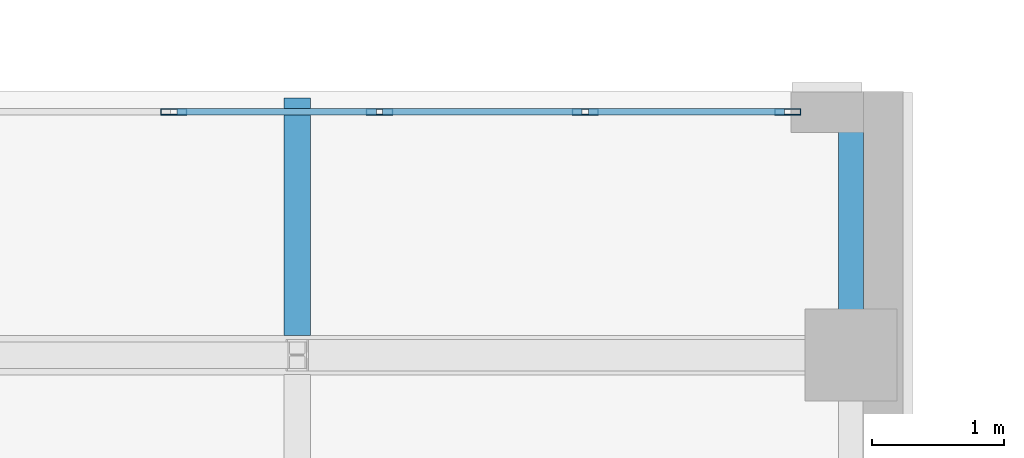
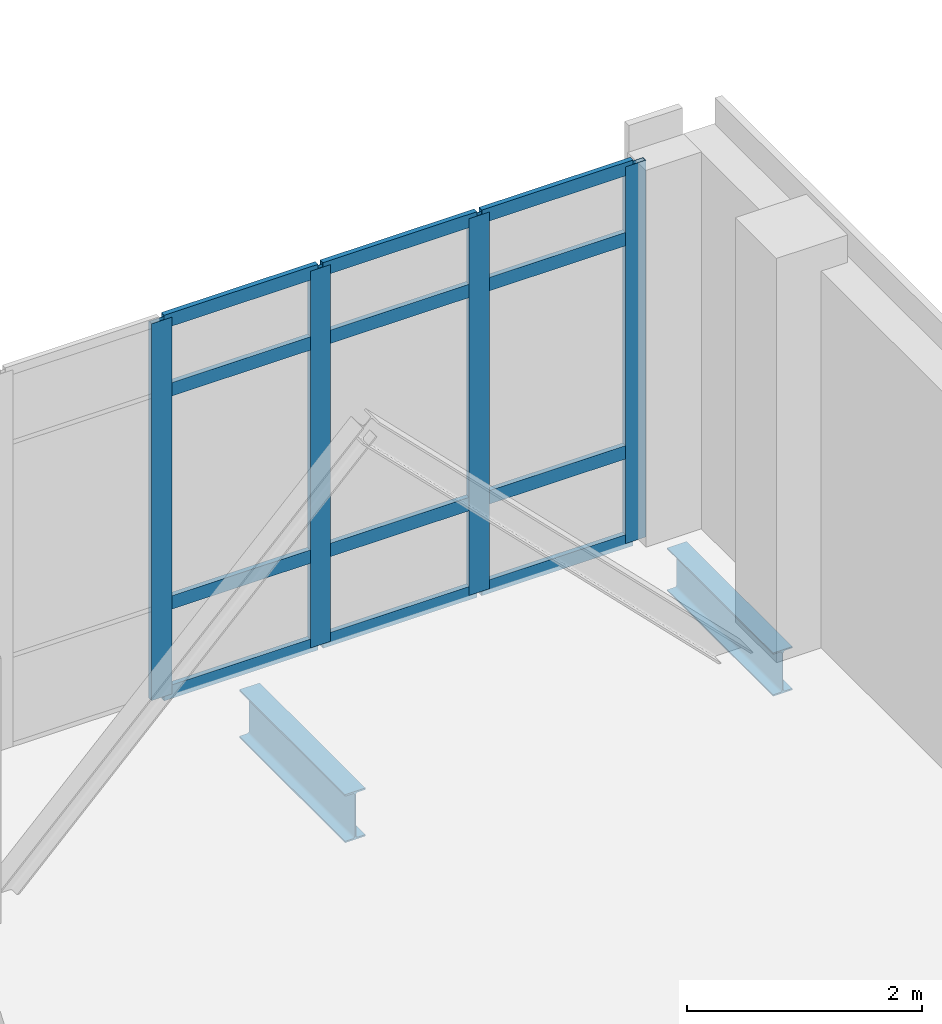
# One storey, part 23 of 193: 16 members, 2 beams, 1 element without a shape of its own.
"""IFC4 building model written with IfcOpenShell, lengths in metres."""

from ifc_helpers import new_model, si_unit, direction, frame, origin, origin_2d, place, context, subcontext, project, spatial, hollow_rectangle, i_section, extrude, material, layer, layer_set, material_profile, profile_set, type_object, element, aggregate, save


model = new_model("IFC4")

# Units and contexts
model_context = context("Model", 3, precision=1e-05, world=origin(), true_north=direction((0.0, 1.0)))
body_context = subcontext(model_context, "Body", "Model", "MODEL_VIEW")
ifc_project = project(units=[si_unit("LENGTHUNIT", "METRE"), si_unit("AREAUNIT", "SQUARE_METRE"), si_unit("VOLUMEUNIT", "CUBIC_METRE"), si_unit("PLANEANGLEUNIT", "RADIAN"), si_unit("MASSUNIT", "GRAM", prefix="KILO")], contexts=[model_context])

# Site, building, storey
site_placement = place(None, origin())
site = spatial("IfcSite", under=ifc_project, at=site_placement, CompositionType="ELEMENT")
building_placement = place(site_placement, origin())
building = spatial("IfcBuilding", under=site, at=building_placement, Name="Qalavern Law Courts", CompositionType="ELEMENT")
storey_placement = place(building_placement, frame((0.0, 0.0, 10.199951171875)))
storey = spatial("IfcBuildingStorey", under=building, at=storey_placement, Name="L02", CompositionType="ELEMENT", Elevation=10.199951171875)

# Curtain wall, members
ifc_material_1 = material(Name="Anodised aluminium and insulated glazing", Category="aluminium")
ifc_layer = layer(ifc_material_1, 0.199951171875)
ifc_layer_set = layer_set([ifc_layer], Name="Anodised aluminium and insulated glazing")
curtain_wall_type = type_object("IfcCurtainWallType", Name="ENV-CW-FOYER", PredefinedType="USERDEFINED", material=ifc_layer_set)
curtain_wall_placement = place(storey_placement, origin())
curtain_wall = element("IfcCurtainWall", 1, at=curtain_wall_placement, inside=storey, type_object=curtain_wall_type, Name="V1 unitised curtain wall L02 north 1", ObjectType="UNITISED CURTAIN WALL", PredefinedType="USERDEFINED")
ifc_material_2 = material(Name="Anodised aluminium", Category="aluminium")
ifc_material_profile_1 = material_profile(ifc_material_2, hollow_rectangle(XDim=0.048095703125, YDim=0.199951171875, WallThickness=0.00439453125, at=origin_2d()), Name="ALU MULLION 48x200")
ifc_profile_set_1 = profile_set([ifc_material_profile_1], Name="Anodised aluminium")
member_type_1 = type_object("IfcMemberType", Name="ENV-CWM-48x200", PredefinedType="MULLION", material=ifc_profile_set_1)
member_1_placement = place(storey_placement, frame((33.12109375, 33.844970703125, 0.0), z_axis=(0.0, 0.0, 1.0), x_axis=(0.0, -1.0, 0.0)))
member_1 = element("IfcMember", 2, at=member_1_placement, type_object=member_type_1, Name="CW-01 mullion 1", PredefinedType="MULLION", context=body_context, shape_type="SweptSolid", body=[
    extrude(hollow_rectangle(XDim=0.048095703125, YDim=0.199951171875, WallThickness=0.00439453125, at=origin_2d()), origin(), (0.0, 0.0, 1.0), 3.9150390625),
])
member_2_placement = place(storey_placement, frame((31.58447265625, 33.844970703125, 0.0), z_axis=(0.0, 0.0, 1.0), x_axis=(0.0, -1.0, 0.0)))
member_2 = element("IfcMember", 3, at=member_2_placement, type_object=member_type_1, Name="CW-01 mullion 2", PredefinedType="MULLION", context=body_context, shape_type="SweptSolid", body=[
    extrude(hollow_rectangle(XDim=0.048095703125, YDim=0.199951171875, WallThickness=0.00439453125, at=origin_2d()), origin(), (0.0, 0.0, 1.0), 3.9150390625),
])
member_3_placement = place(storey_placement, frame((30.02392578125, 33.844970703125, 0.0), z_axis=(0.0, 0.0, 1.0), x_axis=(0.0, -1.0, 0.0)))
member_3 = element("IfcMember", 4, at=member_3_placement, type_object=member_type_1, Name="CW-01 mullion 3", PredefinedType="MULLION", context=body_context, shape_type="SweptSolid", body=[
    extrude(hollow_rectangle(XDim=0.048095703125, YDim=0.199951171875, WallThickness=0.00439453125, at=origin_2d()), origin(), (0.0, 0.0, 1.0), 3.9150390625),
])
member_4_placement = place(storey_placement, frame((28.46337890625, 33.844970703125, 0.0), z_axis=(0.0, 0.0, 1.0), x_axis=(0.0, -1.0, 0.0)))
member_4 = element("IfcMember", 5, at=member_4_placement, type_object=member_type_1, Name="CW-01 mullion 4", PredefinedType="MULLION", context=body_context, shape_type="SweptSolid", body=[
    extrude(hollow_rectangle(XDim=0.048095703125, YDim=0.199951171875, WallThickness=0.00439453125, at=origin_2d()), origin(), (0.0, 0.0, 1.0), 3.9150390625),
])
ifc_material_profile_2 = material_profile(ifc_material_2, hollow_rectangle(XDim=0.048095703125, YDim=0.139892578125, WallThickness=0.00390625, at=origin_2d()), Name="ALU TRANSOM 48x140")
ifc_profile_set_2 = profile_set([ifc_material_profile_2], Name="Anodised aluminium")
member_type_2 = type_object("IfcMemberType", Name="ENV-CWT-48x140", PredefinedType="USERDEFINED", material=ifc_profile_set_2)
member_5_placement = place(storey_placement, frame((33.096923828125, 33.844970703125, 0.024169921875), z_axis=(-1.0, 0.0, 0.0), x_axis=(0.0, -1.0, 0.0)))
member_5 = element("IfcMember", 6, at=member_5_placement, type_object=member_type_2, Name="CW-01 transom 1.1", ObjectType="TRANSOM", PredefinedType="USERDEFINED", context=body_context, shape_type="SweptSolid", body=[
    extrude(hollow_rectangle(XDim=0.048095703125, YDim=0.139892578125, WallThickness=0.00390625, at=origin_2d()), origin(), (0.0, 0.0, 1.0), 1.488525390625),
])
member_6_placement = place(storey_placement, frame((33.096923828125, 33.844970703125, 0.949951171875), z_axis=(-1.0, 0.0, 0.0), x_axis=(0.0, -1.0, 0.0)))
member_6 = element("IfcMember", 7, at=member_6_placement, type_object=member_type_2, Name="CW-01 transom 1.2", ObjectType="TRANSOM", PredefinedType="USERDEFINED", context=body_context, shape_type="SweptSolid", body=[
    extrude(hollow_rectangle(XDim=0.048095703125, YDim=0.139892578125, WallThickness=0.00390625, at=origin_2d()), origin(), (0.0, 0.0, 1.0), 1.488525390625),
])
member_7_placement = place(storey_placement, frame((33.096923828125, 33.844970703125, 3.1650390625), z_axis=(-1.0, 0.0, 0.0), x_axis=(0.0, -1.0, 0.0)))
member_7 = element("IfcMember", 8, at=member_7_placement, type_object=member_type_2, Name="CW-01 transom 1.3", ObjectType="TRANSOM", PredefinedType="USERDEFINED", context=body_context, shape_type="SweptSolid", body=[
    extrude(hollow_rectangle(XDim=0.048095703125, YDim=0.139892578125, WallThickness=0.00390625, at=origin_2d()), origin(), (0.0, 0.0, 1.0), 1.488525390625),
])
member_8_placement = place(storey_placement, frame((33.096923828125, 33.844970703125, 3.89111328125), z_axis=(-1.0, 0.0, 0.0), x_axis=(0.0, -1.0, 0.0)))
member_8 = element("IfcMember", 9, at=member_8_placement, type_object=member_type_2, Name="CW-01 transom 1.4", ObjectType="TRANSOM", PredefinedType="USERDEFINED", context=body_context, shape_type="SweptSolid", body=[
    extrude(hollow_rectangle(XDim=0.048095703125, YDim=0.139892578125, WallThickness=0.00390625, at=origin_2d()), origin(), (0.0, 0.0, 1.0), 1.488525390625),
])
member_9_placement = place(storey_placement, frame((31.560546875, 33.844970703125, 0.024169921875), z_axis=(-1.0, 0.0, 0.0), x_axis=(0.0, -1.0, 0.0)))
member_9 = element("IfcMember", 10, at=member_9_placement, type_object=member_type_2, Name="CW-01 transom 2.1", ObjectType="TRANSOM", PredefinedType="USERDEFINED", context=body_context, shape_type="SweptSolid", body=[
    extrude(hollow_rectangle(XDim=0.048095703125, YDim=0.139892578125, WallThickness=0.00390625, at=origin_2d()), origin(), (0.0, 0.0, 1.0), 1.5126953125),
])
member_10_placement = place(storey_placement, frame((31.560546875, 33.844970703125, 0.949951171875), z_axis=(-1.0, 0.0, 0.0), x_axis=(0.0, -1.0, 0.0)))
member_10 = element("IfcMember", 11, at=member_10_placement, type_object=member_type_2, Name="CW-01 transom 2.2", ObjectType="TRANSOM", PredefinedType="USERDEFINED", context=body_context, shape_type="SweptSolid", body=[
    extrude(hollow_rectangle(XDim=0.048095703125, YDim=0.139892578125, WallThickness=0.00390625, at=origin_2d()), origin(), (0.0, 0.0, 1.0), 1.5126953125),
])
member_11_placement = place(storey_placement, frame((31.560546875, 33.844970703125, 3.1650390625), z_axis=(-1.0, 0.0, 0.0), x_axis=(0.0, -1.0, 0.0)))
member_11 = element("IfcMember", 12, at=member_11_placement, type_object=member_type_2, Name="CW-01 transom 2.3", ObjectType="TRANSOM", PredefinedType="USERDEFINED", context=body_context, shape_type="SweptSolid", body=[
    extrude(hollow_rectangle(XDim=0.048095703125, YDim=0.139892578125, WallThickness=0.00390625, at=origin_2d()), origin(), (0.0, 0.0, 1.0), 1.5126953125),
])
member_12_placement = place(storey_placement, frame((31.560546875, 33.844970703125, 3.89111328125), z_axis=(-1.0, 0.0, 0.0), x_axis=(0.0, -1.0, 0.0)))
member_12 = element("IfcMember", 13, at=member_12_placement, type_object=member_type_2, Name="CW-01 transom 2.4", ObjectType="TRANSOM", PredefinedType="USERDEFINED", context=body_context, shape_type="SweptSolid", body=[
    extrude(hollow_rectangle(XDim=0.048095703125, YDim=0.139892578125, WallThickness=0.00390625, at=origin_2d()), origin(), (0.0, 0.0, 1.0), 1.5126953125),
])
member_13_placement = place(storey_placement, frame((30.0, 33.844970703125, 0.024169921875), z_axis=(-1.0, 0.0, 0.0), x_axis=(0.0, -1.0, 0.0)))
member_13 = element("IfcMember", 14, at=member_13_placement, type_object=member_type_2, Name="CW-01 transom 3.1", ObjectType="TRANSOM", PredefinedType="USERDEFINED", context=body_context, shape_type="SweptSolid", body=[
    extrude(hollow_rectangle(XDim=0.048095703125, YDim=0.139892578125, WallThickness=0.00390625, at=origin_2d()), origin(), (0.0, 0.0, 1.0), 1.5126953125),
])
member_14_placement = place(storey_placement, frame((30.0, 33.844970703125, 0.949951171875), z_axis=(-1.0, 0.0, 0.0), x_axis=(0.0, -1.0, 0.0)))
member_14 = element("IfcMember", 15, at=member_14_placement, type_object=member_type_2, Name="CW-01 transom 3.2", ObjectType="TRANSOM", PredefinedType="USERDEFINED", context=body_context, shape_type="SweptSolid", body=[
    extrude(hollow_rectangle(XDim=0.048095703125, YDim=0.139892578125, WallThickness=0.00390625, at=origin_2d()), origin(), (0.0, 0.0, 1.0), 1.5126953125),
])
member_15_placement = place(storey_placement, frame((30.0, 33.844970703125, 3.1650390625), z_axis=(-1.0, 0.0, 0.0), x_axis=(0.0, -1.0, 0.0)))
member_15 = element("IfcMember", 16, at=member_15_placement, type_object=member_type_2, Name="CW-01 transom 3.3", ObjectType="TRANSOM", PredefinedType="USERDEFINED", context=body_context, shape_type="SweptSolid", body=[
    extrude(hollow_rectangle(XDim=0.048095703125, YDim=0.139892578125, WallThickness=0.00390625, at=origin_2d()), origin(), (0.0, 0.0, 1.0), 1.5126953125),
])
member_16_placement = place(storey_placement, frame((30.0, 33.844970703125, 3.89111328125), z_axis=(-1.0, 0.0, 0.0), x_axis=(0.0, -1.0, 0.0)))
member_16 = element("IfcMember", 17, at=member_16_placement, type_object=member_type_2, Name="CW-01 transom 3.4", ObjectType="TRANSOM", PredefinedType="USERDEFINED", context=body_context, shape_type="SweptSolid", body=[
    extrude(hollow_rectangle(XDim=0.048095703125, YDim=0.139892578125, WallThickness=0.00390625, at=origin_2d()), origin(), (0.0, 0.0, 1.0), 1.5126953125),
])
aggregate(curtain_wall, [member_1, member_2, member_3, member_4, member_5, member_6, member_7, member_8, member_9, member_10, member_11, member_12, member_13, member_14, member_15, member_16])

# Beams
ifc_material_3 = material(Name="Steel S355", Category="steel")
ifc_material_profile_3 = material_profile(ifc_material_3, i_section(OverallWidth=0.199951171875, OverallDepth=0.5, WebThickness=0.01025390625, FlangeThickness=0.01611328125, FilletRadius=0.02099609375, at=origin_2d()), Name="IPE 500")
ifc_profile_set_3 = profile_set([ifc_material_profile_3], Name="Steel S355")
beam_type_1 = type_object("IfcBeamType", Name="STR-BM-IPE500", PredefinedType="BEAM", material=ifc_profile_set_3)
beam_1_placement = place(storey_placement, frame((29.39990234375, 32.14794921875, -0.5400390625), z_axis=(0.0, 1.0, 0.0), x_axis=(-1.0, 0.0, 0.0)))
element("IfcBeam", 18, at=beam_1_placement, inside=storey, type_object=beam_type_1, Name="Foyer transverse beam L02-2.4", PredefinedType="BEAM", context=body_context, shape_type="SweptSolid", body=[
    extrude(i_section(OverallWidth=0.199951171875, OverallDepth=0.5, WebThickness=0.01025390625, FlangeThickness=0.01611328125, FilletRadius=0.02099609375, at=origin_2d()), origin(), (0.0, 0.0, 1.0), 1.802001953125),
])
ifc_material_profile_4 = material_profile(ifc_material_3, i_section(OverallWidth=0.18994140625, OverallDepth=0.449951171875, WebThickness=0.009521484375, FlangeThickness=0.0146484375, FilletRadius=0.02099609375, at=origin_2d()), Name="IPE 450")
ifc_profile_set_4 = profile_set([ifc_material_profile_4], Name="Steel S355")
beam_type_2 = type_object("IfcBeamType", Name="STR-SP-IPE450", PredefinedType="SPANDREL", material=ifc_profile_set_4)
beam_2_placement = place(storey_placement, frame((33.60009765625, 32.14794921875, -0.514892578125), z_axis=(0.0, 1.0, 0.0), x_axis=(-1.0, 0.0, 0.0)))
element("IfcBeam", 19, at=beam_2_placement, inside=storey, type_object=beam_type_2, Name="Foyer transverse beam L02-1.4", PredefinedType="SPANDREL", context=body_context, shape_type="SweptSolid", body=[
    extrude(i_section(OverallWidth=0.18994140625, OverallDepth=0.449951171875, WebThickness=0.009521484375, FlangeThickness=0.0146484375, FilletRadius=0.02099609375, at=origin_2d()), origin(), (0.0, 0.0, 1.0), 1.802001953125),
])

save(model, "model.ifc")
